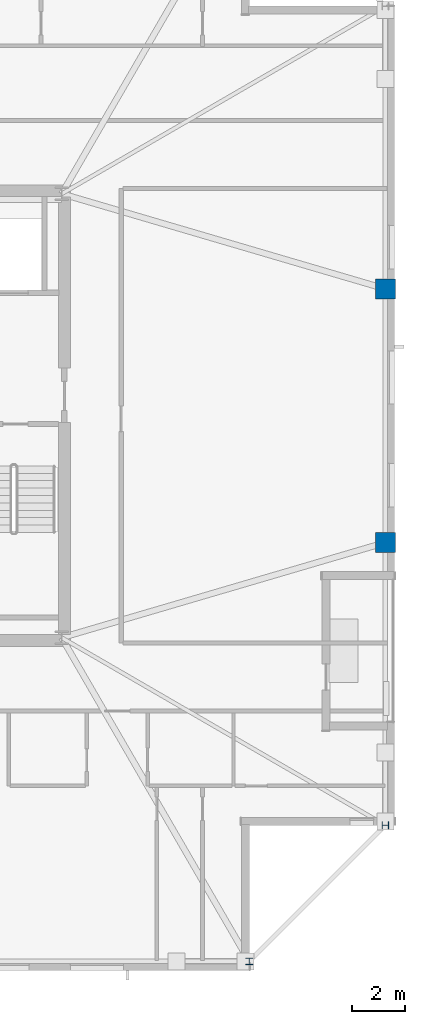
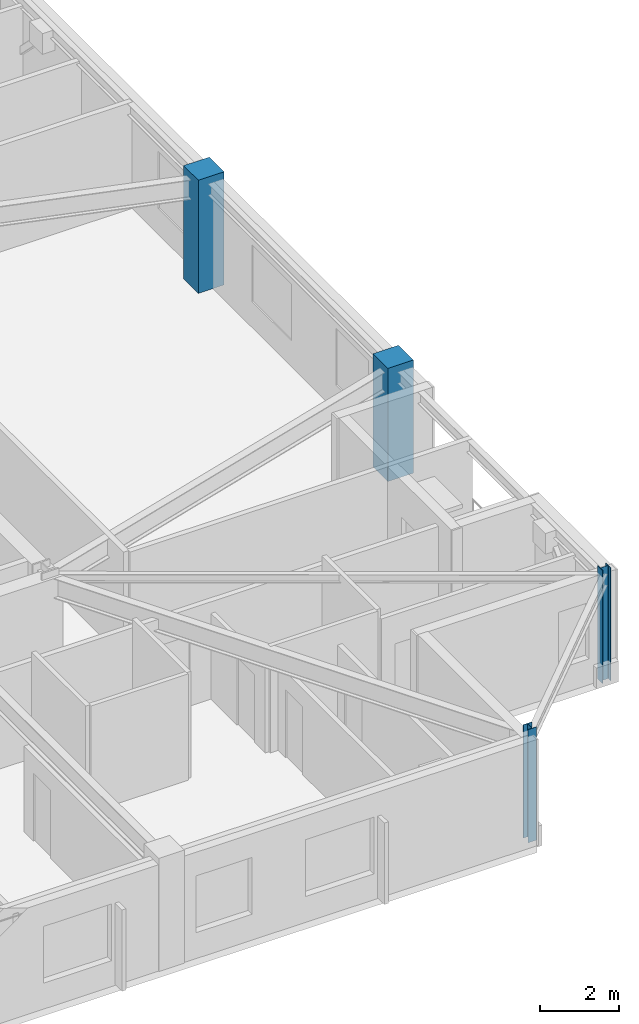
# One storey, part 3 of 14: 4 columns.
"""IFC4 building model written with IfcOpenShell, lengths in metres."""

from ifc_helpers import new_model, si_unit, direction, frame, origin, origin_2d, place, context, subcontext, project, spatial, rectangle, i_section, extrude, material, material_profile, profile_set, type_object, element, save


model = new_model("IFC4")

# Units and contexts
model_context = context("Model", 3, precision=1e-05, world=origin(), true_north=direction((0.0, 1.0)))
body_context = subcontext(model_context, "Body", "Model", "MODEL_VIEW")
ifc_project = project(units=[si_unit("LENGTHUNIT", "METRE"), si_unit("AREAUNIT", "SQUARE_METRE"), si_unit("VOLUMEUNIT", "CUBIC_METRE"), si_unit("PLANEANGLEUNIT", "RADIAN"), si_unit("MASSUNIT", "GRAM", prefix="KILO")], contexts=[model_context])

# Site, building, storey
site_placement = place(None, origin())
site = spatial("IfcSite", under=ifc_project, at=site_placement, CompositionType="ELEMENT")
building_placement = place(site_placement, origin())
building = spatial("IfcBuilding", under=site, at=building_placement, Name="Cairnveth Concourse Tower", CompositionType="ELEMENT")
storey_placement = place(building_placement, frame((0.0, 0.0, 294.5)))
storey = spatial("IfcBuildingStorey", under=building, at=storey_placement, Name="L81", CompositionType="ELEMENT", Elevation=294.5)

# Columns
ifc_material_1 = material(Name="Concrete N50 (50 MPa)", Category="concrete")
ifc_material_profile_1 = material_profile(ifc_material_1, rectangle(XDim=0.75, YDim=0.75, at=origin_2d()), Name="RC-COL-750x750")
ifc_profile_set_1 = profile_set([ifc_material_profile_1], Name="Concrete N50 (50 MPa)")
column_type_1 = type_object("IfcColumnType", Name="PERIMETER PIER COLUMN 750X750", PredefinedType="COLUMN", material=ifc_profile_set_1)
for number, where, z_axis, x_axis, name in (
    (1, (72.64990234375, 34.199951171875, 0.0), (0.0, 0.0, 1.0), (0.0, 1.0, 0.0), "Column P-E2 L81"),
    (2, (72.64990234375, 43.800048828125, 0.0), (0.0, 0.0, 1.0), (0.0, 1.0, 0.0), "Column P-E3 L81"),
):
    element("IfcColumn", number, at=place(storey_placement, frame(where, z_axis=z_axis, x_axis=x_axis)), inside=storey, type_object=column_type_1, Name=name, PredefinedType="COLUMN", context=body_context, shape_type="SweptSolid", body=[
        extrude(rectangle(XDim=0.75, YDim=0.75, at=origin_2d()), origin(), (0.0, 0.0, 1.0), 3.5),
    ])
ifc_material_2 = material(Name="Steel Grade 350", Category="steel")
ifc_material_profile_2 = material_profile(ifc_material_2, i_section(OverallWidth=0.25390625, OverallDepth=0.25390625, WebThickness=0.008544921875, FlangeThickness=0.01416015625, FilletRadius=0.012939453125, at=origin_2d()), Name="250UC72.9")
ifc_profile_set_2 = profile_set([ifc_material_profile_2], Name="Steel Grade 350")
column_type_2 = type_object("IfcColumnType", Name="UNIVERSAL STEEL COLUMN 250UC72.9", PredefinedType="COLUMN", material=ifc_profile_set_2)
for number, where, z_axis, x_axis, name in (
    (3, (67.5, 18.35009765625, 0.0), (0.0, 0.0, 1.0), (1.0, 0.0, 0.0), "Column P-S4 L81"),
    (4, (72.64990234375, 23.5, 0.0), (0.0, 0.0, 1.0), (0.0, 1.0, 0.0), "Column P-E1 L81"),
):
    element("IfcColumn", number, at=place(storey_placement, frame(where, z_axis=z_axis, x_axis=x_axis)), inside=storey, type_object=column_type_2, Name=name, PredefinedType="COLUMN", context=body_context, shape_type="SweptSolid", body=[
        extrude(i_section(OverallWidth=0.25390625, OverallDepth=0.25390625, WebThickness=0.008544921875, FlangeThickness=0.01416015625, FilletRadius=0.012939453125, at=origin_2d()), origin(), (0.0, 0.0, 1.0), 3.5),
    ])

save(model, "model.ifc")
